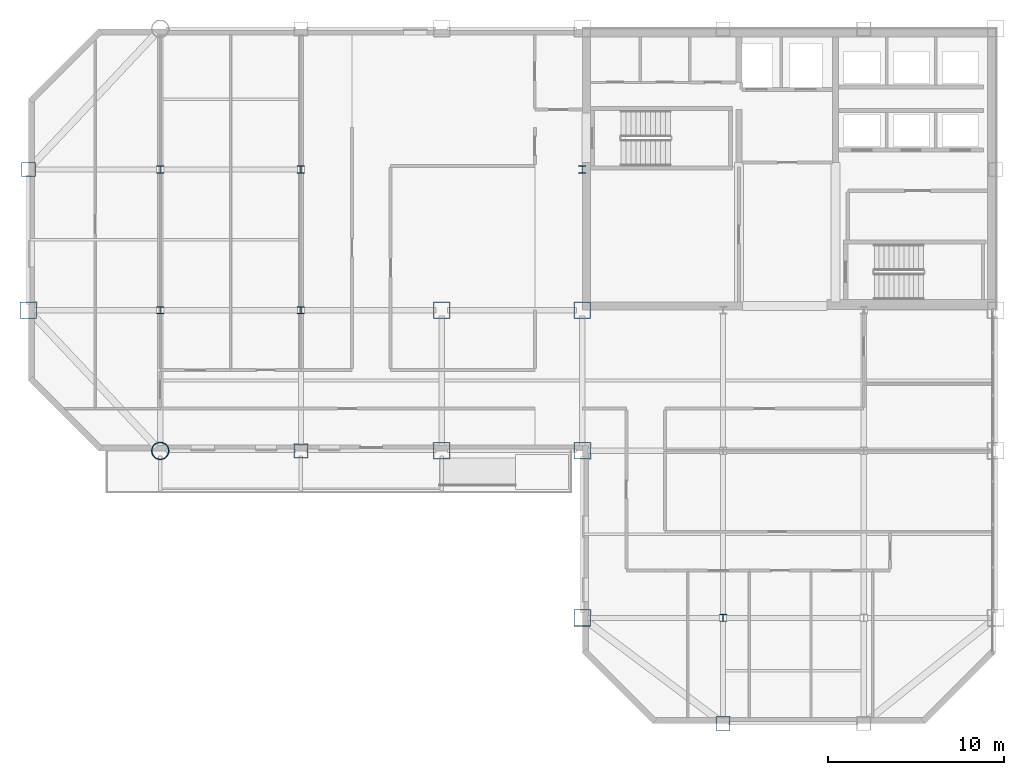
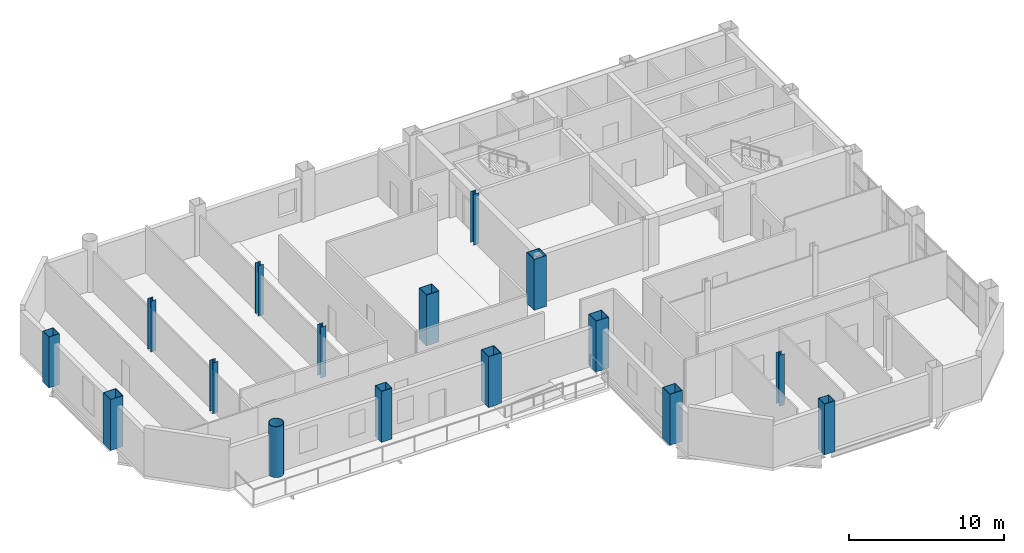
# One storey, part 1 of 12: 16 columns.
"""IFC4 building model written with IfcOpenShell, lengths in metres."""

from ifc_helpers import new_model, si_unit, direction, frame, origin, origin_2d, place, context, subcontext, project, spatial, hollow_rectangle, hollow_circle, i_section, extrude, material, material_profile, profile_set, type_object, element, save


model = new_model("IFC4")

# Units and contexts
model_context = context("Model", 3, precision=1e-05, world=origin(), true_north=direction((0.0, 1.0)))
body_context = subcontext(model_context, "Body", "Model", "MODEL_VIEW")
ifc_project = project(units=[si_unit("LENGTHUNIT", "METRE"), si_unit("AREAUNIT", "SQUARE_METRE"), si_unit("VOLUMEUNIT", "CUBIC_METRE"), si_unit("PLANEANGLEUNIT", "RADIAN"), si_unit("MASSUNIT", "GRAM", prefix="KILO")], contexts=[model_context])

# Site, building, storey
site_placement = place(None, origin())
site = spatial("IfcSite", under=ifc_project, at=site_placement, CompositionType="ELEMENT")
building_placement = place(site_placement, origin())
building = spatial("IfcBuilding", under=site, at=building_placement, Name="Qianrong Seaharbour Tower", CompositionType="ELEMENT")
storey_placement = place(building_placement, frame((0.0, 0.0, 205.800048828125)))
storey = spatial("IfcBuildingStorey", under=building, at=storey_placement, Name="L49", CompositionType="ELEMENT", Elevation=205.800048828125)

# Columns
ifc_material = material(Name="Structural steel SN490B", Category="steel")
ifc_material_profile_1 = material_profile(ifc_material, hollow_rectangle(XDim=0.949951171875, YDim=0.949951171875, WallThickness=0.035888671875, at=origin_2d()), Name="BOX950x950x36")
ifc_profile_set_1 = profile_set([ifc_material_profile_1], Name="Structural steel SN490B")
column_type_1 = type_object("IfcColumnType", Name="COL-CFT-950", PredefinedType="COLUMN", material=ifc_profile_set_1)
for number, where, z_axis, x_axis, name in (
    (1, (9.0, 36.0, 0.0), (0.0, 0.0, 1.0), (1.0, 0.0, 0.0), "L49 Column MC-4 at G2/GF"),
    (2, (32.5, 28.0, 0.0), (0.0, 0.0, 1.0), (1.0, 0.0, 0.0), "L49 Column MC-4 at G5/GE"),
    (3, (32.5, 36.0, 0.0), (0.0, 0.0, 1.0), (1.0, 0.0, 0.0), "L49 Column MC-4 at G5/GF"),
    (4, (40.5, 18.5, 0.0), (0.0, 0.0, 1.0), (1.0, 0.0, 0.0), "L49 Column MC-4 at G6/GD"),
    (5, (40.5, 28.0, 0.0), (0.0, 0.0, 1.0), (1.0, 0.0, 0.0), "L49 Column MC-4 at G6/GE"),
    (6, (40.5, 36.0, 0.0), (0.0, 0.0, 1.0), (1.0, 0.0, 0.0), "L49 Column MC-4 at G6/GF"),
):
    element("IfcColumn", number, at=place(storey_placement, frame(where, z_axis=z_axis, x_axis=x_axis)), inside=storey, type_object=column_type_1, Name=name, PredefinedType="COLUMN", context=body_context, shape_type="SweptSolid", body=[
        extrude(hollow_rectangle(XDim=0.949951171875, YDim=0.949951171875, WallThickness=0.035888671875, at=origin_2d()), origin(), (0.0, 0.0, 1.0), 4.0),
    ])
ifc_material_profile_2 = material_profile(ifc_material, hollow_circle(Radius=0.5, WallThickness=0.035888671875, at=origin_2d()), Name="CHS1000x36")
ifc_profile_set_2 = profile_set([ifc_material_profile_2], Name="Structural steel SN490B")
column_type_2 = type_object("IfcColumnType", Name="COL-CHS-1000", PredefinedType="COLUMN", material=ifc_profile_set_2)
column_placement = place(storey_placement, frame((16.5, 28.0, 0.0), z_axis=(0.0, 0.0, 1.0), x_axis=(1.0, 0.0, 0.0)))
element("IfcColumn", 7, at=column_placement, inside=storey, type_object=column_type_2, Name="L49 Column CC-2 at G3/GE", PredefinedType="COLUMN", context=body_context, shape_type="SweptSolid", body=[
    extrude(hollow_circle(Radius=0.5, WallThickness=0.035888671875, at=origin_2d()), origin(), (0.0, 0.0, 1.0), 4.0),
])
ifc_material_profile_3 = material_profile(ifc_material, i_section(OverallWidth=0.39990234375, OverallDepth=0.39990234375, WebThickness=0.012939453125, FlangeThickness=0.02099609375, FilletRadius=0.02197265625, at=origin_2d()), Name="H400x400x13x21")
ifc_profile_set_3 = profile_set([ifc_material_profile_3], Name="Structural steel SN490B")
column_type_3 = type_object("IfcColumnType", Name="COL-INT-H400", PredefinedType="COLUMN", material=ifc_profile_set_3)
for number, where, z_axis, x_axis, name in (
    (8, (16.5, 36.0, 0.0), (0.0, 0.0, 1.0), (1.0, 0.0, 0.0), "L49 Column IC-3 at G3/GF"),
    (9, (16.5, 44.0, 0.0), (0.0, 0.0, 1.0), (1.0, 0.0, 0.0), "L49 Column IC-3 at G3/GG"),
    (10, (24.5, 36.0, 0.0), (0.0, 0.0, 1.0), (1.0, 0.0, 0.0), "L49 Column IC-3 at G4/GF"),
    (11, (24.5, 44.0, 0.0), (0.0, 0.0, 1.0), (1.0, 0.0, 0.0), "L49 Column IC-3 at G4/GG"),
    (12, (40.5, 44.0, 0.0), (0.0, 0.0, 1.0), (1.0, 0.0, 0.0), "L49 Column IC-3 at G6/GG"),
    (13, (48.5, 18.5, 0.0), (0.0, 0.0, 1.0), (1.0, 0.0, 0.0), "L49 Column IC-3 at G7/GD"),
):
    element("IfcColumn", number, at=place(storey_placement, frame(where, z_axis=z_axis, x_axis=x_axis)), inside=storey, type_object=column_type_3, Name=name, PredefinedType="COLUMN", context=body_context, shape_type="SweptSolid", body=[
        extrude(i_section(OverallWidth=0.39990234375, OverallDepth=0.39990234375, WebThickness=0.012939453125, FlangeThickness=0.02099609375, FilletRadius=0.02197265625, at=origin_2d()), origin(), (0.0, 0.0, 1.0), 4.0),
    ])
ifc_material_profile_4 = material_profile(ifc_material, hollow_rectangle(XDim=0.800048828125, YDim=0.800048828125, WallThickness=0.031982421875, at=origin_2d()), Name="BOX800x800x32")
ifc_profile_set_4 = profile_set([ifc_material_profile_4], Name="Structural steel SN490B")
column_type_4 = type_object("IfcColumnType", Name="COL-PER-800", PredefinedType="COLUMN", material=ifc_profile_set_4)
for number, where, z_axis, x_axis, name in (
    (14, (9.0, 44.0, 0.0), (0.0, 0.0, 1.0), (1.0, 0.0, 0.0), "L49 Column PC-3 at G2/GG"),
    (15, (24.5, 28.0, 0.0), (0.0, 0.0, 1.0), (1.0, 0.0, 0.0), "L49 Column PC-3 at G4/GE"),
    (16, (48.5, 12.5, 0.0), (0.0, 0.0, 1.0), (1.0, 0.0, 0.0), "L49 Column PC-3 at G7/GC"),
):
    element("IfcColumn", number, at=place(storey_placement, frame(where, z_axis=z_axis, x_axis=x_axis)), inside=storey, type_object=column_type_4, Name=name, PredefinedType="COLUMN", context=body_context, shape_type="SweptSolid", body=[
        extrude(hollow_rectangle(XDim=0.800048828125, YDim=0.800048828125, WallThickness=0.031982421875, at=origin_2d()), origin(), (0.0, 0.0, 1.0), 4.0),
    ])

save(model, "model.ifc")
